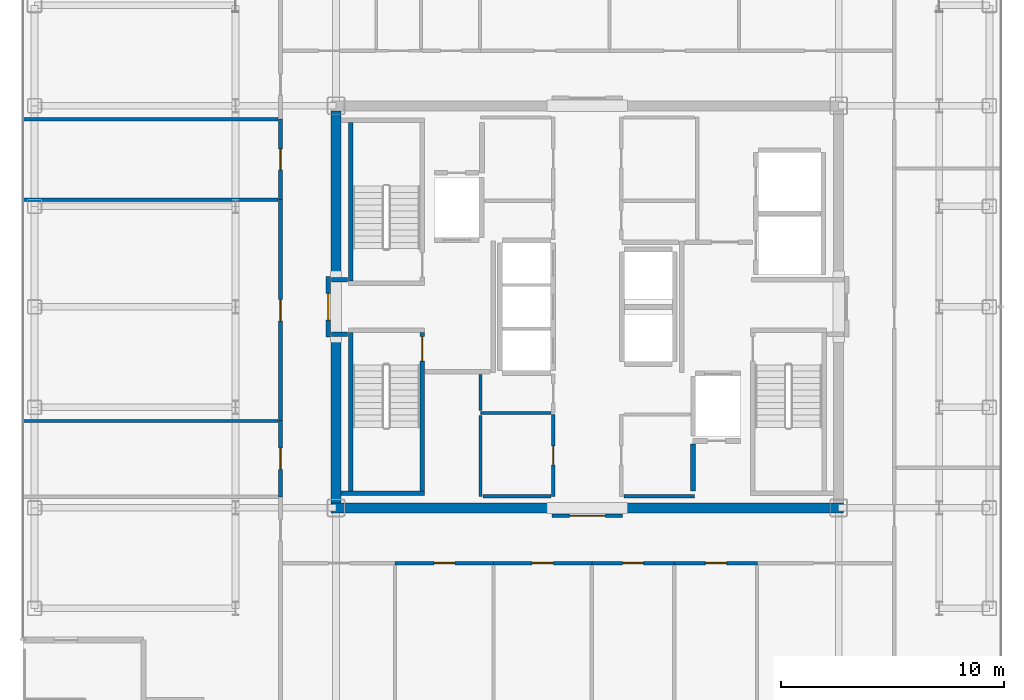
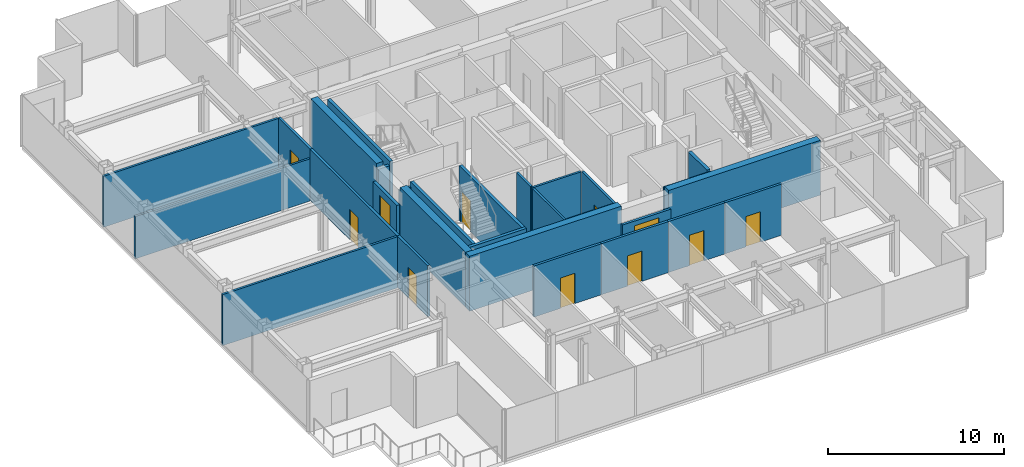
# One storey, part 11 of 17: 29 walls, 11 doors, 11 openings.
"""IFC4 building model written with IfcOpenShell, lengths in metres."""

import ifcopenshell
import ifcopenshell.guid

model = None  # the IFC model being written
_history = None  # IfcOwnerHistory: only IFC2X3 demands one
_inside = {}  # id of a spatial element -> (the spatial element, [elements in it])
_under = {}  # id of a project, library or spatial element -> (it, [spatial elements below it])
_declared = {}  # id of a project -> (the project, [libraries it declares])
_typed = {}  # id of a type object -> (the type object, [elements of that type])
_made_of = {}  # id of a material, layer set ... -> (it, [elements and type objects made of it])


def new_model(schema):
    """Start an empty IFC model of exactly this schema.

    Asked for "IFC4X3", IfcOpenShell would pick the latest addendum, in which some entities
    have other attributes; the version numbers below select the first issue.
    IFC2X3 requires an IfcOwnerHistory on every rooted entity: one is made here for all.
    """
    global model, _history
    if schema == "IFC4X3":
        model = ifcopenshell.file(schema_version=(4, 3, 0, 0))
    else:
        model = ifcopenshell.file(schema=schema)
    _inside.clear()
    _under.clear()
    _declared.clear()
    _typed.clear()
    _made_of.clear()
    _history = None
    if model.schema == "IFC2X3":
        org = make("IfcOrganization", Name="unknown")
        user = make(
            "IfcPersonAndOrganization",
            ThePerson=make("IfcPerson", FamilyName="unknown"),
            TheOrganization=org,
        )
        app = make(
            "IfcApplication",
            ApplicationDeveloper=org,
            Version="unknown",
            ApplicationFullName="unknown",
            ApplicationIdentifier="unknown",
        )
        _history = make(
            "IfcOwnerHistory",
            OwningUser=user,
            OwningApplication=app,
            ChangeAction="ADDED",
            CreationDate=0,
        )
    return model


def make(cls, **values):
    """One entity of the class cls with the attributes given. An attribute that is None is left unset."""
    return model.create_entity(
        cls, **{name: value for name, value in values.items() if value is not None}
    )


def rooted(cls, **values):
    """An entity with a GlobalId (a new one), such as an element, a storey or a relation."""
    return make(cls, GlobalId=ifcopenshell.guid.new(), OwnerHistory=_history, **values)


def si_unit(unit_type, name, prefix=None):
    """IfcSIUnit, for example si_unit("LENGTHUNIT", "METRE", prefix="MILLI")."""
    return make("IfcSIUnit", UnitType=unit_type, Prefix=prefix, Name=name)


def assignment(units):
    """IfcUnitAssignment: the units of a project."""
    return None if units is None else make("IfcUnitAssignment", Units=units)


def point(xyz):
    """IfcCartesianPoint."""
    return None if xyz is None else make("IfcCartesianPoint", Coordinates=xyz)


def direction(xyz):
    """IfcDirection."""
    return None if xyz is None else make("IfcDirection", DirectionRatios=xyz)


def frame(location, z_axis=None, x_axis=None):
    """IfcAxis2Placement3D, a coordinate frame: its origin and axes. An axis left out is left unset."""
    return make(
        "IfcAxis2Placement3D",
        Location=point(location),
        Axis=direction(z_axis),
        RefDirection=direction(x_axis),
    )


def frame_2d(location, x_axis=None):
    """IfcAxis2Placement2D, a coordinate frame in the plane: its origin and x axis."""
    return make(
        "IfcAxis2Placement2D", Location=point(location), RefDirection=direction(x_axis)
    )


def origin():
    """The frame at (0, 0, 0) with its axes left unset."""
    return frame((0.0, 0.0, 0.0))


def place(relative_to, where):
    """IfcLocalPlacement: puts the frame where relative to a parent placement (None: the world)."""
    return make(
        "IfcLocalPlacement", PlacementRelTo=relative_to, RelativePlacement=where
    )


def context(
    kind, dimensions, precision=None, world=None, true_north=None, identifier=None
):
    """IfcGeometricRepresentationContext, for example the 3D "Model" context."""
    return make(
        "IfcGeometricRepresentationContext",
        ContextIdentifier=identifier,
        ContextType=kind,
        CoordinateSpaceDimension=dimensions,
        Precision=precision,
        WorldCoordinateSystem=world,
        TrueNorth=true_north,
    )


def subcontext(parent, identifier, kind, view, scale=None):
    """IfcGeometricRepresentationSubContext, for example "Body" below "Model"."""
    return make(
        "IfcGeometricRepresentationSubContext",
        ContextIdentifier=identifier,
        ContextType=kind,
        ParentContext=parent,
        TargetScale=scale,
        TargetView=view,
    )


def project(units=None, contexts=None):
    """IfcProject with its units and contexts."""
    return rooted(
        "IfcProject",
        Name="project",
        RepresentationContexts=contexts,
        UnitsInContext=assignment(units),
    )


def spatial(cls, under=None, at=None, **own):
    """A site, building, storey or space (cls), placed at a placement, below another one or the project."""
    s = rooted(cls, ObjectPlacement=at, **own)
    if under is not None:
        _under.setdefault(under.id(), (under, []))[1].append(s)
    return s


def profile(cls, at=None, kind="AREA", **sizes):
    """A parametric profile (cls). Its sizes go by their IFC names, for example OverallWidth=200.0."""
    return make(cls, ProfileType=kind, Position=at, **sizes)


def rectangle(**sizes):
    """IfcRectangleProfileDef."""
    return profile("IfcRectangleProfileDef", **sizes)


def extrude(swept, where, along, depth):
    """IfcExtrudedAreaSolid: the profile swept, set in the frame where, extruded along a direction by depth."""
    return make(
        "IfcExtrudedAreaSolid",
        SweptArea=swept,
        Position=where,
        ExtrudedDirection=direction(along),
        Depth=depth,
    )


def shape(context_of_items, identifier, shape_type, items):
    """IfcShapeRepresentation: the items that make up one representation, for example the "Body"."""
    return make(
        "IfcShapeRepresentation",
        ContextOfItems=context_of_items,
        RepresentationIdentifier=identifier,
        RepresentationType=shape_type,
        Items=items,
    )


def source(mapping_origin, context_of_items, identifier, shape_type, items):
    """IfcRepresentationMap: a shape defined once, which mapped items show again and again."""
    return make(
        "IfcRepresentationMap",
        MappingOrigin=mapping_origin,
        MappedRepresentation=shape(context_of_items, identifier, shape_type, items),
    )


def transform(
    local_origin,
    x_axis=None,
    y_axis=None,
    z_axis=None,
    scale=None,
    scale2=None,
    scale3=None,
    uniform=True,
):
    """IfcCartesianTransformationOperator3D, or its non-uniform kind. x_axis, y_axis, z_axis: its Axis1, 2, 3."""
    if uniform:
        return make(
            "IfcCartesianTransformationOperator3D",
            Axis1=direction(x_axis),
            Axis2=direction(y_axis),
            LocalOrigin=point(local_origin),
            Scale=scale,
            Axis3=direction(z_axis),
        )
    return make(
        "IfcCartesianTransformationOperator3DnonUniform",
        Axis1=direction(x_axis),
        Axis2=direction(y_axis),
        LocalOrigin=point(local_origin),
        Scale=scale,
        Axis3=direction(z_axis),
        Scale2=scale2,
        Scale3=scale3,
    )


def mapped(mapping_source, mapping_target):
    """IfcMappedItem: shows the shape of a source again, moved by a transform."""
    return make(
        "IfcMappedItem", MappingSource=mapping_source, MappingTarget=mapping_target
    )


def material(Name=None, Category=None):
    """IfcMaterial."""
    return make("IfcMaterial", Name=Name, Category=Category)


def layer(
    of_material, thickness, ventilated=None, Name=None, Category=None, Priority=None
):
    """IfcMaterialLayer: one layer of a wall or slab, of a material (None: an air gap)."""
    return make(
        "IfcMaterialLayer",
        Material=of_material,
        LayerThickness=thickness,
        IsVentilated=ventilated,
        Name=Name,
        Category=Category,
        Priority=Priority,
    )


def layer_set(layers, Name=None):
    """IfcMaterialLayerSet."""
    return make("IfcMaterialLayerSet", MaterialLayers=layers, LayerSetName=Name)


def made_of(thing, what):
    """Note that an element or type object is made of a material, layer set ...; save() writes the relation."""
    if what is not None:
        _made_of.setdefault(what.id(), (what, []))[1].append(thing)
    return thing


def type_object(cls, material=None, **own):
    """A type object (cls), such as IfcWallType, which elements share."""
    return made_of(rooted(cls, **own), material)


def element(
    cls,
    number,
    at=None,
    inside=None,
    cuts=None,
    type_object=None,
    material=None,
    context=None,
    identifier="Body",
    shape_type=None,
    held_by="IfcProductDefinitionShape",
    body=None,
    shapes=None,
    **own,
):
    """One element of the class cls, such as IfcWall. Its Tag is "e" and its number.

    at: its placement. inside: the storey or other place that contains it. cuts: it is an
    opening in that element (IfcRelVoidsElement). A single representation is given by context,
    identifier, shape_type and body (its items); several are given by shapes. held_by: the class
    of the entity that holds the representations. save() writes the other relations.
    """
    e = rooted(cls, Tag="e%d" % number, ObjectPlacement=at, **own)
    if body is not None:
        shapes = [shape(context, identifier, shape_type, body)]
    if shapes is not None:
        e.Representation = make(held_by, Representations=shapes)
    if inside is not None:
        _inside.setdefault(inside.id(), (inside, []))[1].append(e)
    if cuts is not None:
        rooted(
            "IfcRelVoidsElement", RelatingBuildingElement=cuts, RelatedOpeningElement=e
        )
    if type_object is not None:
        _typed.setdefault(type_object.id(), (type_object, []))[1].append(e)
    return made_of(e, material)


def fill(opening, filler):
    """IfcRelFillsElement: the door or window that sits in an opening."""
    return rooted(
        "IfcRelFillsElement",
        RelatingOpeningElement=opening,
        RelatedBuildingElement=filler,
    )


def aggregate(whole, parts):
    """IfcRelAggregates: a whole, such as a stair, and the parts it consists of."""
    return rooted("IfcRelAggregates", RelatingObject=whole, RelatedObjects=parts)


def save(model, path):
    """Write the relations noted so far, then the file.

    IfcRelAggregates (storeys below a building ...), IfcRelContainedInSpatialStructure (elements
    in a storey), IfcRelDefinesByType, IfcRelAssociatesMaterial and IfcRelDeclares: one each for
    every whole, place, type object, material and project.
    """
    for whole, parts in _under.values():
        aggregate(whole, parts)
    for where, things in _inside.values():
        rooted(
            "IfcRelContainedInSpatialStructure",
            RelatedElements=things,
            RelatingStructure=where,
        )
    for kind, things in _typed.values():
        rooted("IfcRelDefinesByType", RelatedObjects=things, RelatingType=kind)
    for what, things in _made_of.values():
        rooted("IfcRelAssociatesMaterial", RelatedObjects=things, RelatingMaterial=what)
    for by, libraries in _declared.values():
        rooted("IfcRelDeclares", RelatingContext=by, RelatedDefinitions=libraries)
    model.write(path)


model = new_model("IFC4")

# Units and contexts
model_context = context("Model", 3, precision=1e-05, world=origin(), true_north=direction((0.0, 1.0)))
body_context = subcontext(model_context, "Body", "Model", "MODEL_VIEW")
ifc_project = project(units=[si_unit("LENGTHUNIT", "METRE"), si_unit("AREAUNIT", "SQUARE_METRE"), si_unit("VOLUMEUNIT", "CUBIC_METRE"), si_unit("PLANEANGLEUNIT", "RADIAN"), si_unit("MASSUNIT", "GRAM", prefix="KILO")], contexts=[model_context])

# Site, building, storey
site_placement = place(None, origin())
site = spatial("IfcSite", under=ifc_project, at=site_placement, CompositionType="ELEMENT")
building_placement = place(site_placement, origin())
building = spatial("IfcBuilding", under=site, at=building_placement, Name="Nefas-Gora Pilgrimage Tower", CompositionType="ELEMENT")
storey_placement = place(building_placement, frame((0.0, 0.0, 279.800048828125)))
storey = spatial("IfcBuildingStorey", under=building, at=storey_placement, Name="L70", CompositionType="ELEMENT", Elevation=279.800048828125)

# Walls
ifc_material_1 = material(Name="Concrete C50/60", Category="concrete")
ifc_layer_1 = layer(ifc_material_1, 0.449951171875)
ifc_layer_set_1 = layer_set([ifc_layer_1], Name="Concrete C50/60")
wall_type_1 = type_object("IfcWallType", Name="SW-CORE-450", PredefinedType="SHEAR", material=ifc_layer_set_1)
shared_shape_1 = source(origin(), body_context, "Body", "SweptSolid", [
    extrude(rectangle(XDim=9.925048828125, YDim=0.449951171875, at=frame_2d((4.96240234375, 0.0))), origin(), (0.0, 0.0, 1.0), 3.800048828125),
])
for number, where, z_axis, x_axis, name in (
    (1, (-11.47509765625, -9.0, 0.0), (0.0, 0.0, 1.0), (1.0, 0.0, 0.0), "L70 Core Shear Wall S-West"),
    (2, (1.550048828125, -9.0, 0.0), (0.0, 0.0, 1.0), (1.0, 0.0, 0.0), "L70 Core Shear Wall S-East"),
):
    element("IfcWall", number, at=place(storey_placement, frame(where, z_axis=z_axis, x_axis=x_axis)), inside=storey, type_object=wall_type_1, Name=name, PredefinedType="SHEAR", context=body_context, shape_type="MappedRepresentation", body=[
        mapped(shared_shape_1, transform((0.0, 0.0, 0.0), x_axis=(1.0, 0.0, 0.0), y_axis=(0.0, 1.0, 0.0), z_axis=(0.0, 0.0, 1.0), scale=1.0)),
    ])
shared_shape_2 = source(origin(), body_context, "Body", "SweptSolid", [
    extrude(rectangle(XDim=7.4248046875, YDim=0.449951171875, at=frame_2d((3.71240234375, 0.0))), origin(), (0.0, 0.0, 1.0), 3.800048828125),
])
for number, where, z_axis, x_axis, name in (
    (3, (-11.25, -8.77490234375, 0.0), (0.0, 0.0, 1.0), (0.0, 1.0, 0.0), "L70 Core Shear Wall W-South"),
    (4, (-11.25, 1.35009765625, 0.0), (0.0, 0.0, 1.0), (0.0, 1.0, 0.0), "L70 Core Shear Wall W-North"),
):
    element("IfcWall", number, at=place(storey_placement, frame(where, z_axis=z_axis, x_axis=x_axis)), inside=storey, type_object=wall_type_1, Name=name, PredefinedType="SHEAR", context=body_context, shape_type="MappedRepresentation", body=[
        mapped(shared_shape_2, transform((0.0, 0.0, 0.0), x_axis=(1.0, 0.0, 0.0), y_axis=(0.0, 1.0, 0.0), z_axis=(0.0, 0.0, 1.0), scale=1.0)),
    ])
ifc_material_2 = material(Name="Concrete C45/55", Category="concrete")
ifc_layer_2 = layer(ifc_material_2, 0.199951171875)
ifc_layer_set_2 = layer_set([ifc_layer_2], Name="Concrete C45/55")
wall_type_2 = type_object("IfcWallType", Name="IW-STAIR-200", PredefinedType="SOLIDWALL", material=ifc_layer_set_2)
shared_shape_3 = source(origin(), body_context, "Body", "SweptSolid", [
    extrude(rectangle(XDim=7.10009765625, YDim=0.199951171875, at=frame_2d((3.550048828125, 0.0))), origin(), (0.0, 0.0, 1.0), 3.800048828125),
])
for number, where, z_axis, x_axis, name in (
    (5, (-10.60009765625, 1.14990234375, 0.0), (0.0, 0.0, 1.0), (0.0, 1.0, 0.0), "L70 Stairwell Shear Wall ST-01-right"),
    (6, (-10.60009765625, -1.14990234375, 0.0), (0.0, 0.0, 1.0), (0.0, -1.0, 0.0), "L70 Stairwell Shear Wall ST-03-left"),
):
    element("IfcWall", number, at=place(storey_placement, frame(where, z_axis=z_axis, x_axis=x_axis)), inside=storey, type_object=wall_type_2, Name=name, PredefinedType="SOLIDWALL", context=body_context, shape_type="MappedRepresentation", body=[
        mapped(shared_shape_3, transform((0.0, 0.0, 0.0), x_axis=(1.0, 0.0, 0.0), y_axis=(0.0, 1.0, 0.0), z_axis=(0.0, 0.0, 1.0), scale=1.0)),
    ])

# Wall, opening, door
wall_1_placement = place(storey_placement, frame((-7.39990234375, -1.14990234375, 0.0), z_axis=(0.0, 0.0, 1.0), x_axis=(0.0, -1.0, 0.0)))
wall_1 = element("IfcWall", 7, at=wall_1_placement, inside=storey, type_object=wall_type_2, Name="L70 Stairwell Shear Wall ST-03-right", PredefinedType="SOLIDWALL", context=body_context, shape_type="MappedRepresentation", body=[
    mapped(shared_shape_3, transform((0.0, 0.0, 0.0), x_axis=(1.0, 0.0, 0.0), y_axis=(0.0, 1.0, 0.0), z_axis=(0.0, 0.0, 1.0), scale=1.0)),
])
opening_1_placement = place(wall_1_placement, frame((0.179931640625, 0.0, 0.0)))
opening_1 = element("IfcOpeningElement", 8, at=opening_1_placement, cuts=wall_1, Name="Opening ID-ST1", PredefinedType="OPENING", context=body_context, shape_type="SweptSolid", body=[
    extrude(rectangle(XDim=1.10009765625, YDim=2.14990234375, at=frame_2d((0.550048828125, 1.074951171875))), frame((0.0, 0.10986328125, 0.0), z_axis=(0.0, -1.0, 0.0), x_axis=(1.0, 0.0, 0.0)), (0.0, 0.0, 1.0), 0.219970703125),
])
ifc_material_3 = material(Name="Painted galvanised steel fire stair door", Category="steel")
door_type_1 = type_object("IfcDoorType", Name="DR-INT-STAIR-1100", OperationType="NOTDEFINED", PredefinedType="DOOR", material=ifc_material_3)
shared_shape_4 = source(origin(), body_context, "Body", "SweptSolid", [
    extrude(rectangle(XDim=1.10009765625, YDim=2.14990234375, at=frame_2d((0.550048828125, 1.074951171875))), frame((0.0, 0.02490234375, 0.0), z_axis=(0.0, -1.0, 0.0), x_axis=(1.0, 0.0, 0.0)), (0.0, 0.0, 1.0), 0.050048828125),
])
door_1_placement = place(opening_1_placement, origin())
door_1 = element("IfcDoor", 9, at=door_1_placement, inside=storey, type_object=door_type_1, Name="L70 Protected Exit Stair Door ST-03", OperationType="SINGLE_SWING_RIGHT", OverallHeight=2.14990234375, OverallWidth=1.10009765625, PredefinedType="DOOR", context=body_context, shape_type="MappedRepresentation", body=[
    mapped(shared_shape_4, transform((0.0, 0.0, 0.0), x_axis=(1.0, 0.0, 0.0), y_axis=(0.0, 1.0, 0.0), z_axis=(0.0, 0.0, 1.0), scale=1.0)),
])
fill(opening_1, door_1)

# Walls
shared_shape_5 = source(origin(), body_context, "Body", "SweptSolid", [
    extrude(rectangle(XDim=3.72998046875, YDim=0.199951171875, at=frame_2d((1.864990234375, 0.0))), origin(), (0.0, 0.0, 1.0), 3.800048828125),
])
wall_2_placement = place(storey_placement, frame((-11.030029296875, -8.35009765625, 0.0), z_axis=(0.0, 0.0, 1.0), x_axis=(1.0, 0.0, 0.0)))
element("IfcWall", 10, at=wall_2_placement, inside=storey, type_object=wall_type_2, Name="L70 Stairwell Shear Wall ST-03-far", PredefinedType="SOLIDWALL", context=body_context, shape_type="MappedRepresentation", body=[
    mapped(shared_shape_5, transform((0.0, 0.0, 0.0), x_axis=(1.0, 0.0, 0.0), y_axis=(0.0, 1.0, 0.0), z_axis=(0.0, 0.0, 1.0), scale=1.0)),
])
ifc_material_4 = material(Name="Gypsum fire-rated shaftwall")
ifc_layer_3 = layer(ifc_material_4, 0.199951171875)
ifc_layer_set_3 = layer_set([ifc_layer_3], Name="Gypsum fire-rated shaftwall")
wall_type_3 = type_object("IfcWallType", Name="IW-FFLOB-200", PredefinedType="PARTITIONING", material=ifc_layer_set_3)
shared_shape_6 = source(origin(), body_context, "Body", "SweptSolid", [
    extrude(rectangle(XDim=0.719970703125, YDim=0.199951171875, at=frame_2d((0.35986328125, 0.0))), origin(), (0.0, 0.0, 1.0), 3.534912109375),
])
for number, where, z_axis, x_axis, name in (
    (11, (-11.4599609375, 1.219970703125, 0.0), (0.0, 0.0, 1.0), (1.0, 0.0, 0.0), "L70 FF Lobby West Throat N Wall 8"),
    (12, (-11.4599609375, -1.219970703125, 0.0), (0.0, 0.0, 1.0), (1.0, 0.0, 0.0), "L70 FF Lobby West Throat S Wall 9"),
):
    element("IfcWall", number, at=place(storey_placement, frame(where, z_axis=z_axis, x_axis=x_axis)), inside=storey, type_object=wall_type_3, Name=name, PredefinedType="PARTITIONING", context=body_context, shape_type="MappedRepresentation", body=[
        mapped(shared_shape_6, transform((0.0, 0.0, 0.0), x_axis=(1.0, 0.0, 0.0), y_axis=(0.0, 1.0, 0.0), z_axis=(0.0, 0.0, 1.0), scale=1.0)),
    ])

# Wall, opening, door
ifc_material_5 = material(Name="Gypsum acoustic stud partition")
ifc_layer_4 = layer(ifc_material_5, 0.159912109375)
ifc_layer_set_4 = layer_set([ifc_layer_4], Name="Gypsum acoustic stud partition")
wall_type_4 = type_object("IfcWallType", Name="IW-CORR-160", PredefinedType="PARTITIONING", material=ifc_layer_set_4)
shared_shape_7 = source(origin(), body_context, "Body", "SweptSolid", [
    extrude(rectangle(XDim=3.610107421875, YDim=0.159912109375, at=frame_2d((1.80517578125, 0.0))), origin(), (0.0, 0.0, 1.0), 3.534912109375),
])
wall_3_placement = place(storey_placement, frame((-13.739990234375, 4.794921875, 0.0), z_axis=(0.0, 0.0, 1.0), x_axis=(0.0, 1.0, 0.0)))
wall_3 = element("IfcWall", 13, at=wall_3_placement, inside=storey, type_object=wall_type_4, Name="L70 Scripture Reading Study Partition Wall 45", PredefinedType="PARTITIONING", context=body_context, shape_type="MappedRepresentation", body=[
    mapped(shared_shape_7, transform((0.0, 0.0, 0.0), x_axis=(1.0, 0.0, 0.0), y_axis=(0.0, 1.0, 0.0), z_axis=(0.0, 0.0, 1.0), scale=1.0)),
])
opening_2_placement = place(wall_3_placement, frame((1.330078125, 0.0, 0.0)))
opening_2 = element("IfcOpeningElement", 14, at=opening_2_placement, cuts=wall_3, Name="Opening ID-GR1", PredefinedType="OPENING", context=body_context, shape_type="SweptSolid", body=[
    extrude(rectangle(XDim=0.949951171875, YDim=2.10009765625, at=frame_2d((0.47509765625, 1.050048828125))), frame((0.0, 0.08984375, 0.0), z_axis=(0.0, -1.0, 0.0), x_axis=(1.0, 0.0, 0.0)), (0.0, 0.0, 1.0), 0.179931640625),
])
ifc_material_6 = material(Name="Solid core oak fire-rated guest entrance door")
door_type_2 = type_object("IfcDoorType", Name="DR-INT-GUEST-950", OperationType="NOTDEFINED", PredefinedType="DOOR", material=ifc_material_6)
shared_shape_8 = source(origin(), body_context, "Body", "SweptSolid", [
    extrude(rectangle(XDim=0.949951171875, YDim=2.10009765625, at=frame_2d((0.47509765625, 1.050048828125))), frame((0.0, 0.02490234375, 0.0), z_axis=(0.0, -1.0, 0.0), x_axis=(1.0, 0.0, 0.0)), (0.0, 0.0, 1.0), 0.050048828125),
])
door_2_placement = place(opening_2_placement, origin())
door_2 = element("IfcDoor", 15, at=door_2_placement, inside=storey, type_object=door_type_2, Name="L70 Scripture Reading Study Door 19", OperationType="SINGLE_SWING_LEFT", OverallHeight=2.10009765625, OverallWidth=0.949951171875, PredefinedType="DOOR", context=body_context, shape_type="MappedRepresentation", body=[
    mapped(shared_shape_8, transform((0.0, 0.0, 0.0), x_axis=(1.0, 0.0, 0.0), y_axis=(0.0, 1.0, 0.0), z_axis=(0.0, 0.0, 1.0), scale=1.0)),
])
fill(opening_2, door_2)

shared_shape_9 = source(origin(), body_context, "Body", "SweptSolid", [
    extrude(rectangle(XDim=3.704833984375, YDim=0.159912109375, at=frame_2d((1.8525390625, 0.0))), origin(), (0.0, 0.0, 1.0), 3.534912109375),
])
wall_4_placement = place(storey_placement, frame((0.195068359375, -11.469970703125, 0.0), z_axis=(0.0, 0.0, 1.0), x_axis=(1.0, 0.0, 0.0)))
wall_4 = element("IfcWall", 16, at=wall_4_placement, inside=storey, type_object=wall_type_4, Name="L70 Pilgrim Contemplative Lounge Partition Wall 67", PredefinedType="PARTITIONING", context=body_context, shape_type="MappedRepresentation", body=[
    mapped(shared_shape_9, transform((0.0, 0.0, 0.0), x_axis=(1.0, 0.0, 0.0), y_axis=(0.0, 1.0, 0.0), z_axis=(0.0, 0.0, 1.0), scale=1.0)),
])
opening_3_placement = place(wall_4_placement, frame((1.37744140625, 0.0, 0.0)))
opening_3 = element("IfcOpeningElement", 17, at=opening_3_placement, cuts=wall_4, Name="Opening ID-GR1", PredefinedType="OPENING", context=body_context, shape_type="SweptSolid", body=[
    extrude(rectangle(XDim=0.949951171875, YDim=2.10009765625, at=frame_2d((0.47509765625, 1.050048828125))), frame((0.0, 0.08984375, 0.0), z_axis=(0.0, -1.0, 0.0), x_axis=(1.0, 0.0, 0.0)), (0.0, 0.0, 1.0), 0.179931640625),
])
door_3_placement = place(opening_3_placement, origin())
door_3 = element("IfcDoor", 18, at=door_3_placement, inside=storey, type_object=door_type_2, Name="L70 Pilgrim Contemplative Lounge Door 32", OperationType="SINGLE_SWING_RIGHT", OverallHeight=2.10009765625, OverallWidth=0.949951171875, PredefinedType="DOOR", context=body_context, shape_type="MappedRepresentation", body=[
    mapped(shared_shape_8, transform((0.0, 0.0, 0.0), x_axis=(1.0, 0.0, 0.0), y_axis=(0.0, 1.0, 0.0), z_axis=(0.0, 0.0, 1.0), scale=1.0)),
])
fill(opening_3, door_3)

shared_shape_10 = source(origin(), body_context, "Body", "SweptSolid", [
    extrude(rectangle(XDim=3.705078125, YDim=0.159912109375, at=frame_2d((1.8525390625, 0.0))), origin(), (0.0, 0.0, 1.0), 3.534912109375),
])
wall_5_placement = place(storey_placement, frame((3.89990234375, -11.469970703125, 0.0), z_axis=(0.0, 0.0, 1.0), x_axis=(1.0, 0.0, 0.0)))
wall_5 = element("IfcWall", 19, at=wall_5_placement, inside=storey, type_object=wall_type_4, Name="L70 Pilgrim Contemplative Lounge Partition Wall 69", PredefinedType="PARTITIONING", context=body_context, shape_type="MappedRepresentation", body=[
    mapped(shared_shape_10, transform((0.0, 0.0, 0.0), x_axis=(1.0, 0.0, 0.0), y_axis=(0.0, 1.0, 0.0), z_axis=(0.0, 0.0, 1.0), scale=1.0)),
])
opening_4_placement = place(wall_5_placement, frame((1.37744140625, 0.0, 0.0)))
opening_4 = element("IfcOpeningElement", 20, at=opening_4_placement, cuts=wall_5, Name="Opening ID-GR1", PredefinedType="OPENING", context=body_context, shape_type="SweptSolid", body=[
    extrude(rectangle(XDim=0.949951171875, YDim=2.10009765625, at=frame_2d((0.47509765625, 1.050048828125))), frame((0.0, 0.08984375, 0.0), z_axis=(0.0, -1.0, 0.0), x_axis=(1.0, 0.0, 0.0)), (0.0, 0.0, 1.0), 0.179931640625),
])
door_4_placement = place(opening_4_placement, origin())
door_4 = element("IfcDoor", 21, at=door_4_placement, inside=storey, type_object=door_type_2, Name="L70 Pilgrim Contemplative Lounge Door 33", OperationType="SINGLE_SWING_LEFT", OverallHeight=2.10009765625, OverallWidth=0.949951171875, PredefinedType="DOOR", context=body_context, shape_type="MappedRepresentation", body=[
    mapped(shared_shape_8, transform((0.0, 0.0, 0.0), x_axis=(1.0, 0.0, 0.0), y_axis=(0.0, 1.0, 0.0), z_axis=(0.0, 0.0, 1.0), scale=1.0)),
])
fill(opening_4, door_4)

# Walls
ifc_material_7 = material(Name="Gypsum twin-stud partition")
ifc_layer_5 = layer(ifc_material_7, 0.139892578125)
ifc_layer_set_5 = layer_set([ifc_layer_5], Name="Gypsum twin-stud partition")
wall_type_5 = type_object("IfcWallType", Name="IW-UNIT-140", PredefinedType="PARTITIONING", material=ifc_layer_set_5)
shared_shape_11 = source(origin(), body_context, "Body", "SweptSolid", [
    extrude(rectangle(XDim=3.150146484375, YDim=0.139892578125, at=frame_2d((1.5751953125, 0.0))), origin(), (0.0, 0.0, 1.0), 3.534912109375),
])
for number, where, z_axis, x_axis, name in (
    (22, (-4.7900390625, -4.75, 0.0), (0.0, 0.0, 1.0), (1.0, 0.0, 0.0), "L70 Guest Self-Service Laundry Room Partition Wall 28"),
    (23, (1.639892578125, -8.47998046875, 0.0), (0.0, 0.0, 1.0), (1.0, 0.0, 0.0), "L70 High-Rise Tableware Store Partition Wall 35"),
):
    element("IfcWall", number, at=place(storey_placement, frame(where, z_axis=z_axis, x_axis=x_axis)), inside=storey, type_object=wall_type_5, Name=name, PredefinedType="PARTITIONING", context=body_context, shape_type="MappedRepresentation", body=[
        mapped(shared_shape_11, transform((0.0, 0.0, 0.0), x_axis=(1.0, 0.0, 0.0), y_axis=(0.0, 1.0, 0.0), z_axis=(0.0, 0.0, 1.0), scale=1.0)),
    ])

# Wall, opening, door
shared_shape_12 = source(origin(), body_context, "Body", "SweptSolid", [
    extrude(rectangle(XDim=3.409912109375, YDim=0.159912109375, at=frame_2d((1.705078125, 0.0))), origin(), (0.0, 0.0, 1.0), 3.534912109375),
])
wall_6_placement = place(storey_placement, frame((-13.739990234375, -8.5048828125, 0.0), z_axis=(0.0, 0.0, 1.0), x_axis=(0.0, 1.0, 0.0)))
wall_6 = element("IfcWall", 24, at=wall_6_placement, inside=storey, type_object=wall_type_4, Name="L70 Pastoral Chaplains Counselling Office Partition Wall 41", PredefinedType="PARTITIONING", context=body_context, shape_type="MappedRepresentation", body=[
    mapped(shared_shape_12, transform((0.0, 0.0, 0.0), x_axis=(1.0, 0.0, 0.0), y_axis=(0.0, 1.0, 0.0), z_axis=(0.0, 0.0, 1.0), scale=1.0)),
])
opening_5_placement = place(wall_6_placement, frame((1.22998046875, 0.0, 0.0)))
opening_5 = element("IfcOpeningElement", 25, at=opening_5_placement, cuts=wall_6, Name="Opening ID-GR1", PredefinedType="OPENING", context=body_context, shape_type="SweptSolid", body=[
    extrude(rectangle(XDim=0.949951171875, YDim=2.10009765625, at=frame_2d((0.47509765625, 1.050048828125))), frame((0.0, 0.08984375, 0.0), z_axis=(0.0, -1.0, 0.0), x_axis=(1.0, 0.0, 0.0)), (0.0, 0.0, 1.0), 0.179931640625),
])
door_5_placement = place(opening_5_placement, origin())
door_5 = element("IfcDoor", 26, at=door_5_placement, inside=storey, type_object=door_type_2, Name="L70 Pastoral Chaplains Counselling Office Door 17", OperationType="SINGLE_SWING_LEFT", OverallHeight=2.10009765625, OverallWidth=0.949951171875, PredefinedType="DOOR", context=body_context, shape_type="MappedRepresentation", body=[
    mapped(shared_shape_8, transform((0.0, 0.0, 0.0), x_axis=(1.0, 0.0, 0.0), y_axis=(0.0, 1.0, 0.0), z_axis=(0.0, 0.0, 1.0), scale=1.0)),
])
fill(opening_5, door_5)

shared_shape_13 = source(origin(), body_context, "Body", "SweptSolid", [
    extrude(rectangle(XDim=4.405029296875, YDim=0.159912109375, at=frame_2d((2.20263671875, 0.0))), origin(), (0.0, 0.0, 1.0), 3.534912109375),
])
wall_7_placement = place(storey_placement, frame((-8.60498046875, -11.469970703125, 0.0), z_axis=(0.0, 0.0, 1.0), x_axis=(1.0, 0.0, 0.0)))
wall_7 = element("IfcWall", 27, at=wall_7_placement, inside=storey, type_object=wall_type_4, Name="L70 Pilgrim Contemplative Lounge Partition Wall 63", PredefinedType="PARTITIONING", context=body_context, shape_type="MappedRepresentation", body=[
    mapped(shared_shape_13, transform((0.0, 0.0, 0.0), x_axis=(1.0, 0.0, 0.0), y_axis=(0.0, 1.0, 0.0), z_axis=(0.0, 0.0, 1.0), scale=1.0)),
])
opening_6_placement = place(wall_7_placement, frame((1.7275390625, 0.0, 0.0)))
opening_6 = element("IfcOpeningElement", 28, at=opening_6_placement, cuts=wall_7, Name="Opening ID-GR1", PredefinedType="OPENING", context=body_context, shape_type="SweptSolid", body=[
    extrude(rectangle(XDim=0.949951171875, YDim=2.10009765625, at=frame_2d((0.47509765625, 1.050048828125))), frame((0.0, 0.08984375, 0.0), z_axis=(0.0, -1.0, 0.0), x_axis=(1.0, 0.0, 0.0)), (0.0, 0.0, 1.0), 0.179931640625),
])
door_6_placement = place(opening_6_placement, origin())
door_6 = element("IfcDoor", 29, at=door_6_placement, inside=storey, type_object=door_type_2, Name="L70 Pilgrim Contemplative Lounge Door 30", OperationType="SINGLE_SWING_RIGHT", OverallHeight=2.10009765625, OverallWidth=0.949951171875, PredefinedType="DOOR", context=body_context, shape_type="MappedRepresentation", body=[
    mapped(shared_shape_8, transform((0.0, 0.0, 0.0), x_axis=(1.0, 0.0, 0.0), y_axis=(0.0, 1.0, 0.0), z_axis=(0.0, 0.0, 1.0), scale=1.0)),
])
fill(opening_6, door_6)

wall_8_placement = place(storey_placement, frame((-4.199951171875, -11.469970703125, 0.0), z_axis=(0.0, 0.0, 1.0), x_axis=(1.0, 0.0, 0.0)))
wall_8 = element("IfcWall", 30, at=wall_8_placement, inside=storey, type_object=wall_type_4, Name="L70 Pilgrim Contemplative Lounge Partition Wall 65", PredefinedType="PARTITIONING", context=body_context, shape_type="MappedRepresentation", body=[
    mapped(shared_shape_13, transform((0.0, 0.0, 0.0), x_axis=(1.0, 0.0, 0.0), y_axis=(0.0, 1.0, 0.0), z_axis=(0.0, 0.0, 1.0), scale=1.0)),
])
opening_7_placement = place(wall_8_placement, frame((1.7275390625, 0.0, 0.0)))
opening_7 = element("IfcOpeningElement", 31, at=opening_7_placement, cuts=wall_8, Name="Opening ID-GR1", PredefinedType="OPENING", context=body_context, shape_type="SweptSolid", body=[
    extrude(rectangle(XDim=0.949951171875, YDim=2.10009765625, at=frame_2d((0.47509765625, 1.050048828125))), frame((0.0, 0.08984375, 0.0), z_axis=(0.0, -1.0, 0.0), x_axis=(1.0, 0.0, 0.0)), (0.0, 0.0, 1.0), 0.179931640625),
])
door_7_placement = place(opening_7_placement, origin())
door_7 = element("IfcDoor", 32, at=door_7_placement, inside=storey, type_object=door_type_2, Name="L70 Pilgrim Contemplative Lounge Door 31", OperationType="SINGLE_SWING_LEFT", OverallHeight=2.10009765625, OverallWidth=0.949951171875, PredefinedType="DOOR", context=body_context, shape_type="MappedRepresentation", body=[
    mapped(shared_shape_8, transform((0.0, 0.0, 0.0), x_axis=(1.0, 0.0, 0.0), y_axis=(0.0, 1.0, 0.0), z_axis=(0.0, 0.0, 1.0), scale=1.0)),
])
fill(opening_7, door_7)

# Walls
shared_shape_14 = source(origin(), body_context, "Body", "SweptSolid", [
    extrude(rectangle(XDim=11.429931640625, YDim=0.139892578125, at=frame_2d((5.71484375, 0.0))), origin(), (0.0, 0.0, 1.0), 3.534912109375),
])
for number, where, z_axis, x_axis, name in (
    (33, (-25.2900390625, -5.10498046875, 0.0), (0.0, 0.0, 1.0), (1.0, 0.0, 0.0), "L70 Pastoral Chaplains Counselling Office Partition Wall 42"),
    (34, (-25.2900390625, 8.39501953125, 0.0), (0.0, 0.0, 1.0), (1.0, 0.0, 0.0), "L70 Scripture Reading Study Partition Wall 46"),
):
    element("IfcWall", number, at=place(storey_placement, frame(where, z_axis=z_axis, x_axis=x_axis)), inside=storey, type_object=wall_type_5, Name=name, PredefinedType="PARTITIONING", context=body_context, shape_type="MappedRepresentation", body=[
        mapped(shared_shape_14, transform((0.0, 0.0, 0.0), x_axis=(1.0, 0.0, 0.0), y_axis=(0.0, 1.0, 0.0), z_axis=(0.0, 0.0, 1.0), scale=1.0)),
    ])

# Wall, opening, door
shared_shape_15 = source(origin(), body_context, "Body", "SweptSolid", [
    extrude(rectangle(XDim=3.679931640625, YDim=0.159912109375, at=frame_2d((1.83984375, 0.0))), origin(), (0.0, 0.0, 1.0), 3.534912109375),
])
wall_9_placement = place(storey_placement, frame((-1.52001953125, -8.489990234375, 0.0), z_axis=(0.0, 0.0, 1.0), x_axis=(0.0, 1.0, 0.0)))
wall_9 = element("IfcWall", 35, at=wall_9_placement, inside=storey, type_object=wall_type_4, Name="L70 High-Rise Linen Store Wall 30", PredefinedType="PARTITIONING", context=body_context, shape_type="MappedRepresentation", body=[
    mapped(shared_shape_15, transform((0.0, 0.0, 0.0), x_axis=(1.0, 0.0, 0.0), y_axis=(0.0, 1.0, 0.0), z_axis=(0.0, 0.0, 1.0), scale=1.0)),
])
opening_8_placement = place(wall_9_placement, frame((1.4150390625, 0.0, 0.0)))
opening_8 = element("IfcOpeningElement", 36, at=opening_8_placement, cuts=wall_9, Name="Opening ID-BT1", PredefinedType="OPENING", context=body_context, shape_type="SweptSolid", body=[
    extrude(rectangle(XDim=0.85009765625, YDim=2.10009765625, at=frame_2d((0.425048828125, 1.050048828125))), frame((0.0, 0.08984375, 0.0), z_axis=(0.0, -1.0, 0.0), x_axis=(1.0, 0.0, 0.0)), (0.0, 0.0, 1.0), 0.179931640625),
])
ifc_material_8 = material(Name="Moisture-resistant fire-rated timber door", Category="wood")
door_type_3 = type_object("IfcDoorType", Name="DR-INT-BATH-850", OperationType="NOTDEFINED", PredefinedType="DOOR", material=ifc_material_8)
shared_shape_16 = source(origin(), body_context, "Body", "SweptSolid", [
    extrude(rectangle(XDim=0.85009765625, YDim=2.10009765625, at=frame_2d((0.425048828125, 1.050048828125))), frame((0.0, 0.02490234375, 0.0), z_axis=(0.0, -1.0, 0.0), x_axis=(1.0, 0.0, 0.0)), (0.0, 0.0, 1.0), 0.050048828125),
])
door_8_placement = place(opening_8_placement, origin())
door_8 = element("IfcDoor", 37, at=door_8_placement, inside=storey, type_object=door_type_3, Name="L70 High-Rise Linen Store Door 13", OperationType="SINGLE_SWING_LEFT", OverallHeight=2.10009765625, OverallWidth=0.85009765625, PredefinedType="DOOR", context=body_context, shape_type="MappedRepresentation", body=[
    mapped(shared_shape_16, transform((0.0, 0.0, 0.0), x_axis=(1.0, 0.0, 0.0), y_axis=(0.0, 1.0, 0.0), z_axis=(0.0, 0.0, 1.0), scale=1.0)),
])
fill(opening_8, door_8)

shared_shape_17 = source(origin(), body_context, "Body", "SweptSolid", [
    extrude(rectangle(XDim=9.909912109375, YDim=0.159912109375, at=frame_2d((4.955078125, 0.0))), origin(), (0.0, 0.0, 1.0), 3.534912109375),
])
wall_10_placement = place(storey_placement, frame((-13.739990234375, -5.10498046875, 0.0), z_axis=(0.0, 0.0, 1.0), x_axis=(0.0, 1.0, 0.0)))
wall_10 = element("IfcWall", 38, at=wall_10_placement, inside=storey, type_object=wall_type_4, Name="L70 Pilgrim Fellowship Seminar Room Partition Wall 43", PredefinedType="PARTITIONING", context=body_context, shape_type="MappedRepresentation", body=[
    mapped(shared_shape_17, transform((0.0, 0.0, 0.0), x_axis=(1.0, 0.0, 0.0), y_axis=(0.0, 1.0, 0.0), z_axis=(0.0, 0.0, 1.0), scale=1.0)),
])
opening_9_placement = place(wall_10_placement, frame((4.47998046875, 0.0, 0.0)))
opening_9 = element("IfcOpeningElement", 39, at=opening_9_placement, cuts=wall_10, Name="Opening ID-GR1", PredefinedType="OPENING", context=body_context, shape_type="SweptSolid", body=[
    extrude(rectangle(XDim=0.949951171875, YDim=2.10009765625, at=frame_2d((0.47509765625, 1.050048828125))), frame((0.0, 0.08984375, 0.0), z_axis=(0.0, -1.0, 0.0), x_axis=(1.0, 0.0, 0.0)), (0.0, 0.0, 1.0), 0.179931640625),
])
door_9_placement = place(opening_9_placement, origin())
door_9 = element("IfcDoor", 40, at=door_9_placement, inside=storey, type_object=door_type_2, Name="L70 Pilgrim Fellowship Seminar Room Door 18", OperationType="SINGLE_SWING_RIGHT", OverallHeight=2.10009765625, OverallWidth=0.949951171875, PredefinedType="DOOR", context=body_context, shape_type="MappedRepresentation", body=[
    mapped(shared_shape_8, transform((0.0, 0.0, 0.0), x_axis=(1.0, 0.0, 0.0), y_axis=(0.0, 1.0, 0.0), z_axis=(0.0, 0.0, 1.0), scale=1.0)),
])
fill(opening_9, door_9)

shared_shape_18 = source(origin(), body_context, "Body", "SweptSolid", [
    extrude(rectangle(XDim=2.7001953125, YDim=0.199951171875, at=frame_2d((1.35009765625, 0.0))), origin(), (0.0, 0.0, 1.0), 2.625),
])
wall_11_placement = place(storey_placement, frame((-11.60009765625, -1.35009765625, 0.0), z_axis=(0.0, 0.0, 1.0), x_axis=(0.0, 1.0, 0.0)))
wall_11 = element("IfcWall", 41, at=wall_11_placement, inside=storey, type_object=wall_type_3, Name="L70 FF Lobby West Portal Wall 5", PredefinedType="PARTITIONING", context=body_context, shape_type="MappedRepresentation", body=[
    mapped(shared_shape_18, transform((0.0, 0.0, 0.0), x_axis=(1.0, 0.0, 0.0), y_axis=(0.0, 1.0, 0.0), z_axis=(0.0, 0.0, 1.0), scale=1.0)),
])
opening_10_placement = place(wall_11_placement, frame((0.75, 0.0, 0.0)))
opening_10 = element("IfcOpeningElement", 42, at=opening_10_placement, cuts=wall_11, Name="Opening ID-FF1", PredefinedType="OPENING", context=body_context, shape_type="SweptSolid", body=[
    extrude(rectangle(XDim=1.199951171875, YDim=2.14990234375, at=frame_2d((0.60009765625, 1.074951171875))), frame((0.0, 0.10986328125, 0.0), z_axis=(0.0, -1.0, 0.0), x_axis=(1.0, 0.0, 0.0)), (0.0, 0.0, 1.0), 0.219970703125),
])
ifc_material_9 = material(Name="Smoke-sealed steel firefighting lobby door", Category="steel")
door_type_4 = type_object("IfcDoorType", Name="DR-INT-FFLOB-1200", OperationType="NOTDEFINED", PredefinedType="DOOR", material=ifc_material_9)
shared_shape_19 = source(origin(), body_context, "Body", "SweptSolid", [
    extrude(rectangle(XDim=1.199951171875, YDim=2.14990234375, at=frame_2d((0.60009765625, 1.074951171875))), frame((0.0, 0.02490234375, 0.0), z_axis=(0.0, -1.0, 0.0), x_axis=(1.0, 0.0, 0.0)), (0.0, 0.0, 1.0), 0.050048828125),
])
door_10_placement = place(opening_10_placement, origin())
door_10 = element("IfcDoor", 43, at=door_10_placement, inside=storey, type_object=door_type_4, Name="L70 FF Lobby West Portal Door 3", OperationType="SINGLE_SWING_LEFT", OverallHeight=2.14990234375, OverallWidth=1.199951171875, PredefinedType="DOOR", context=body_context, shape_type="MappedRepresentation", body=[
    mapped(shared_shape_19, transform((0.0, 0.0, 0.0), x_axis=(1.0, 0.0, 0.0), y_axis=(0.0, 1.0, 0.0), z_axis=(0.0, 0.0, 1.0), scale=1.0)),
])
fill(opening_10, door_10)

shared_shape_20 = source(origin(), body_context, "Body", "SweptSolid", [
    extrude(rectangle(XDim=3.16015625, YDim=0.159912109375, at=frame_2d((1.580078125, 0.0))), origin(), (0.0, 0.0, 1.0), 2.625),
])
wall_12_placement = place(storey_placement, frame((-1.580078125, -9.35009765625, 0.0), z_axis=(0.0, 0.0, 1.0), x_axis=(1.0, 0.0, 0.0)))
wall_12 = element("IfcWall", 44, at=wall_12_placement, inside=storey, type_object=wall_type_4, Name="L70 Central Lift Lobby South Portal Wall 17", PredefinedType="PARTITIONING", context=body_context, shape_type="MappedRepresentation", body=[
    mapped(shared_shape_20, transform((0.0, 0.0, 0.0), x_axis=(1.0, 0.0, 0.0), y_axis=(0.0, 1.0, 0.0), z_axis=(0.0, 0.0, 1.0), scale=1.0)),
])
opening_11_placement = place(wall_12_placement, frame((0.780029296875, 0.0, 0.0)))
opening_11 = element("IfcOpeningElement", 45, at=opening_11_placement, cuts=wall_12, Name="Opening ID-HL1", PredefinedType="OPENING", context=body_context, shape_type="SweptSolid", body=[
    extrude(rectangle(XDim=1.60009765625, YDim=2.300048828125, at=frame_2d((0.800048828125, 1.14990234375))), frame((0.0, 0.08984375, 0.0), z_axis=(0.0, -1.0, 0.0), x_axis=(1.0, 0.0, 0.0)), (0.0, 0.0, 1.0), 0.179931640625),
])
ifc_material_10 = material(Name="Double acoustic timber assembly hall door", Category="wood")
door_type_5 = type_object("IfcDoorType", Name="DR-INT-HALL-1600", OperationType="DOUBLE_DOOR_SINGLE_SWING", PredefinedType="DOOR", material=ifc_material_10)
shared_shape_21 = source(origin(), body_context, "Body", "SweptSolid", [
    extrude(rectangle(XDim=1.60009765625, YDim=2.300048828125, at=frame_2d((0.800048828125, 1.14990234375))), frame((0.0, 0.02490234375, 0.0), z_axis=(0.0, -1.0, 0.0), x_axis=(1.0, 0.0, 0.0)), (0.0, 0.0, 1.0), 0.050048828125),
])
door_11_placement = place(opening_11_placement, origin())
door_11 = element("IfcDoor", 46, at=door_11_placement, inside=storey, type_object=door_type_5, Name="L70 Central Lift Lobby South Portal Door 7", OperationType="DOUBLE_DOOR_SINGLE_SWING", OverallHeight=2.300048828125, OverallWidth=1.60009765625, PredefinedType="DOOR", context=body_context, shape_type="MappedRepresentation", body=[
    mapped(shared_shape_21, transform((0.0, 0.0, 0.0), x_axis=(1.0, 0.0, 0.0), y_axis=(0.0, 1.0, 0.0), z_axis=(0.0, 0.0, 1.0), scale=1.0)),
])
fill(opening_11, door_11)

# Walls
shared_shape_22 = source(origin(), body_context, "Body", "SweptSolid", [
    extrude(rectangle(XDim=11.429931640625, YDim=0.139892578125, at=frame_2d((5.71484375, 0.0))), origin(), (0.0, 0.0, 1.0), 2.925048828125),
])
wall_13_placement = place(storey_placement, frame((-25.2900390625, 4.794921875, 0.0), z_axis=(0.0, 0.0, 1.0), x_axis=(1.0, 0.0, 0.0)))
element("IfcWall", 47, at=wall_13_placement, inside=storey, type_object=wall_type_5, Name="L70 Pilgrim Fellowship Seminar Room Partition Wall 44", PredefinedType="PARTITIONING", context=body_context, shape_type="MappedRepresentation", body=[
    mapped(shared_shape_22, transform((0.0, 0.0, 0.0), x_axis=(1.0, 0.0, 0.0), y_axis=(0.0, 1.0, 0.0), z_axis=(0.0, 0.0, 1.0), scale=1.0)),
])
ifc_material_11 = material(Name="Concrete C40/50", Category="concrete")
ifc_layer_6 = layer(ifc_material_11, 0.219970703125)
ifc_layer_set_6 = layer_set([ifc_layer_6], Name="Concrete C40/50")
wall_type_6 = type_object("IfcWallType", Name="IW-SHAFT-220", PredefinedType="SOLIDWALL", material=ifc_layer_set_6)
shared_shape_23 = source(origin(), body_context, "Body", "SweptSolid", [
    extrude(rectangle(XDim=2.10009765625, YDim=0.219970703125, at=frame_2d((1.050048828125, 0.0))), origin(), (0.0, 0.0, 1.0), 3.534912109375),
])
wall_14_placement = place(storey_placement, frame((4.719970703125, -8.25, 0.0), z_axis=(0.0, 0.0, 1.0), x_axis=(0.0, 1.0, 0.0)))
element("IfcWall", 48, at=wall_14_placement, inside=storey, type_object=wall_type_6, Name="L70 Riser Shaft Wall 4", PredefinedType="SOLIDWALL", context=body_context, shape_type="MappedRepresentation", body=[
    mapped(shared_shape_23, transform((0.0, 0.0, 0.0), x_axis=(1.0, 0.0, 0.0), y_axis=(0.0, 1.0, 0.0), z_axis=(0.0, 0.0, 1.0), scale=1.0)),
])
shared_shape_24 = source(origin(), body_context, "Body", "SweptSolid", [
    extrude(rectangle(XDim=1.599853515625, YDim=0.139892578125, at=frame_2d((0.7998046875, 0.0))), origin(), (0.0, 0.0, 1.0), 3.534912109375),
])
wall_15_placement = place(storey_placement, frame((-4.780029296875, -4.639892578125, 0.0), z_axis=(0.0, 0.0, 1.0), x_axis=(0.0, 1.0, 0.0)))
element("IfcWall", 49, at=wall_15_placement, inside=storey, type_object=wall_type_5, Name="L70 Guest Self-Service Laundry Room Partition Wall 29", PredefinedType="PARTITIONING", context=body_context, shape_type="MappedRepresentation", body=[
    mapped(shared_shape_24, transform((0.0, 0.0, 0.0), x_axis=(1.0, 0.0, 0.0), y_axis=(0.0, 1.0, 0.0), z_axis=(0.0, 0.0, 1.0), scale=1.0)),
])
shared_shape_25 = source(origin(), body_context, "Body", "SweptSolid", [
    extrude(rectangle(XDim=3.6298828125, YDim=0.139892578125, at=frame_2d((1.81494140625, 0.0))), origin(), (0.0, 0.0, 1.0), 3.534912109375),
])
wall_16_placement = place(storey_placement, frame((-4.780029296875, -8.489990234375, 0.0), z_axis=(0.0, 0.0, 1.0), x_axis=(0.0, 1.0, 0.0)))
element("IfcWall", 50, at=wall_16_placement, inside=storey, type_object=wall_type_5, Name="L70 High-Rise Linen Store Partition Wall 31", PredefinedType="PARTITIONING", context=body_context, shape_type="MappedRepresentation", body=[
    mapped(shared_shape_25, transform((0.0, 0.0, 0.0), x_axis=(1.0, 0.0, 0.0), y_axis=(0.0, 1.0, 0.0), z_axis=(0.0, 0.0, 1.0), scale=1.0)),
])
shared_shape_26 = source(origin(), body_context, "Body", "SweptSolid", [
    extrude(rectangle(XDim=3.030029296875, YDim=0.139892578125, at=frame_2d((1.51513671875, 0.0))), origin(), (0.0, 0.0, 1.0), 3.534912109375),
])
wall_17_placement = place(storey_placement, frame((-4.669921875, -8.47998046875, 0.0), z_axis=(0.0, 0.0, 1.0), x_axis=(1.0, 0.0, 0.0)))
element("IfcWall", 51, at=wall_17_placement, inside=storey, type_object=wall_type_5, Name="L70 High-Rise Linen Store Partition Wall 32", PredefinedType="PARTITIONING", context=body_context, shape_type="MappedRepresentation", body=[
    mapped(shared_shape_26, transform((0.0, 0.0, 0.0), x_axis=(1.0, 0.0, 0.0), y_axis=(0.0, 1.0, 0.0), z_axis=(0.0, 0.0, 1.0), scale=1.0)),
])

save(model, "model.ifc")
